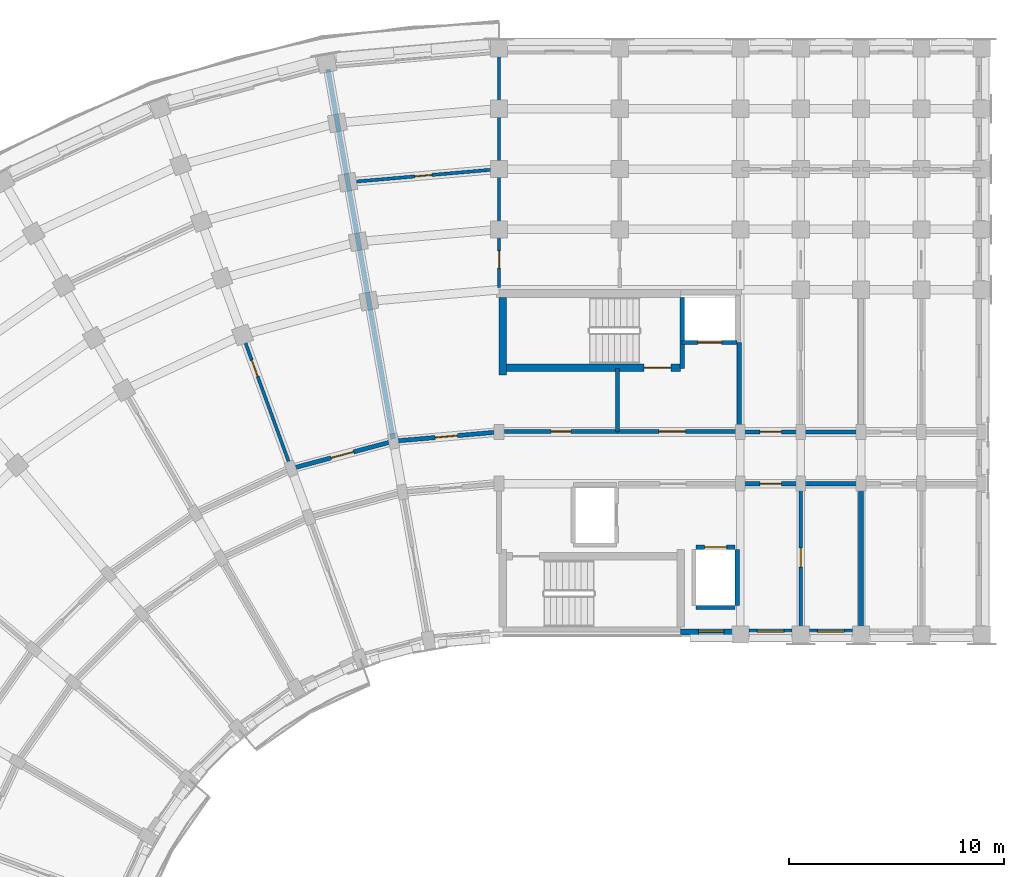
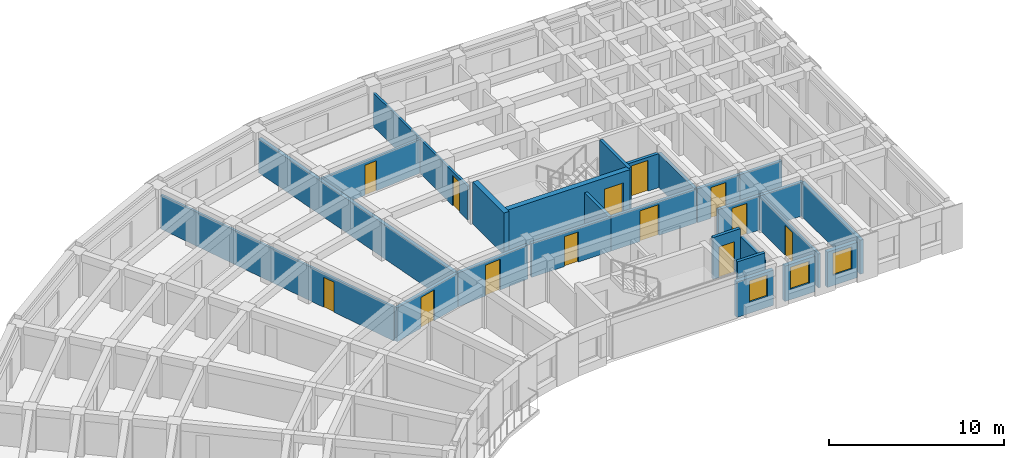
# One storey, part 26 of 54: 26 walls, 13 doors, 3 windows, 16 openings.
"""IFC4 building model written with IfcOpenShell, lengths in metres."""

from ifc_helpers import new_model, si_unit, direction, frame, frame_2d, origin, place, context, subcontext, project, spatial, rectangle, extrude, material, layer, layer_set, type_object, element, fill, save


model = new_model("IFC4")

# Units and contexts
model_context = context("Model", 3, precision=1e-05, world=origin(), true_north=direction((0.0, 1.0)))
body_context = subcontext(model_context, "Body", "Model", "MODEL_VIEW")
ifc_project = project(units=[si_unit("LENGTHUNIT", "METRE"), si_unit("AREAUNIT", "SQUARE_METRE"), si_unit("VOLUMEUNIT", "CUBIC_METRE"), si_unit("PLANEANGLEUNIT", "RADIAN"), si_unit("MASSUNIT", "GRAM", prefix="KILO")], contexts=[model_context])

# Site, building, storey
site_placement = place(None, origin())
site = spatial("IfcSite", under=ifc_project, at=site_placement, CompositionType="ELEMENT")
building_placement = place(site_placement, origin())
building = spatial("IfcBuilding", under=site, at=building_placement, Name="Kiranvali Square Residences", CompositionType="ELEMENT")
storey_placement = place(building_placement, frame((0.0, 0.0, 11.85009765625)))
storey = spatial("IfcBuildingStorey", under=building, at=storey_placement, Name="L03", CompositionType="ELEMENT", Elevation=11.85009765625)

# Wall, opening, door
ifc_material_1 = material(Name="Autoclaved aerated concrete blockwork masonry", Category="masonry")
ifc_layer_1 = layer(ifc_material_1, 0.199951171875)
ifc_layer_set_1 = layer_set([ifc_layer_1], Name="Autoclaved aerated concrete blockwork masonry")
wall_type_1 = type_object("IfcWallType", Name="WL-COR-200", PredefinedType="STANDARD", material=ifc_layer_set_1)
wall_1_placement = place(storey_placement, frame((59.39990234375, 113.60009765625, 0.0), z_axis=(0.0, 0.0, 1.0), x_axis=(1.0, 0.0, 0.0)))
wall_1 = element("IfcWall", 1, at=wall_1_placement, inside=storey, type_object=wall_type_1, Name="L03 architectural wall WL-L03-A-A1CI-0", PredefinedType="STANDARD", context=body_context, shape_type="SweptSolid", body=[
    extrude(rectangle(XDim=2.800048828125, YDim=0.199951171875, at=frame_2d((1.39990234375, 0.0))), origin(), (0.0, 0.0, 1.0), 2.371826171875),
])
opening_1_placement = place(wall_1_placement, frame((0.89990234375, 0.0, 0.0)))
opening_1 = element("IfcOpeningElement", 2, at=opening_1_placement, cuts=wall_1, Name="Opening FD-APT-60", PredefinedType="OPENING", context=body_context, shape_type="SweptSolid", body=[
    extrude(rectangle(XDim=1.0, YDim=2.14990234375, at=frame_2d((0.5, 1.074951171875))), frame((0.0, 0.10986328125, 0.0), z_axis=(0.0, -1.0, 0.0), x_axis=(1.0, 0.0, 0.0)), (0.0, 0.0, 1.0), 0.219970703125),
])
ifc_material_2 = material(Name="Fire-rated acoustic hardwood and mineral-core door assembly", Category="wood")
door_type_1 = type_object("IfcDoorType", Name="DR-APT-1000", OperationType="NOTDEFINED", PredefinedType="DOOR", material=ifc_material_2)
door_1_placement = place(opening_1_placement, frame((1.0, 0.0, 0.0), z_axis=(0.0, 0.0, 1.0), x_axis=(-1.0, 0.0, 0.0)))
door_1 = element("IfcDoor", 3, at=door_1_placement, inside=storey, type_object=door_type_1, Name="L03 door DR-L03-0226 (DR-APT-1000)", OperationType="SINGLE_SWING_RIGHT", OverallHeight=2.14990234375, OverallWidth=1.0, PredefinedType="DOOR", context=body_context, shape_type="SweptSolid", body=[
    extrude(rectangle(XDim=1.0, YDim=2.14990234375, at=frame_2d((0.5, 1.074951171875))), frame((0.0, 0.02490234375, 0.0), z_axis=(0.0, -1.0, 0.0), x_axis=(1.0, 0.0, 0.0)), (0.0, 0.0, 1.0), 0.050048828125),
])
fill(opening_1, door_1)

wall_2_placement = place(storey_placement, frame((59.39990234375, 116.0, 0.0), z_axis=(0.0, 0.0, 1.0), x_axis=(1.0, 0.0, 0.0)))
wall_2 = element("IfcWall", 4, at=wall_2_placement, inside=storey, type_object=wall_type_1, Name="L03 architectural wall WL-L03-A-A1CO-0", PredefinedType="STANDARD", context=body_context, shape_type="SweptSolid", body=[
    extrude(rectangle(XDim=2.800048828125, YDim=0.199951171875, at=frame_2d((1.39990234375, 0.0))), origin(), (0.0, 0.0, 1.0), 2.371826171875),
])
opening_2_placement = place(wall_2_placement, frame((0.89990234375, 0.0, 0.0)))
opening_2 = element("IfcOpeningElement", 5, at=opening_2_placement, cuts=wall_2, Name="Opening FD-APT-60", PredefinedType="OPENING", context=body_context, shape_type="SweptSolid", body=[
    extrude(rectangle(XDim=1.0, YDim=2.14990234375, at=frame_2d((0.5, 1.074951171875))), frame((0.0, 0.10986328125, 0.0), z_axis=(0.0, -1.0, 0.0), x_axis=(1.0, 0.0, 0.0)), (0.0, 0.0, 1.0), 0.219970703125),
])
door_2_placement = place(opening_2_placement, frame((1.0, 0.0, 0.0), z_axis=(0.0, 0.0, 1.0), x_axis=(-1.0, 0.0, 0.0)))
door_2 = element("IfcDoor", 6, at=door_2_placement, inside=storey, type_object=door_type_1, Name="L03 door DR-L03-0228 (DR-APT-1000)", OperationType="SINGLE_SWING_RIGHT", OverallHeight=2.14990234375, OverallWidth=1.0, PredefinedType="DOOR", context=body_context, shape_type="SweptSolid", body=[
    extrude(rectangle(XDim=1.0, YDim=2.14990234375, at=frame_2d((0.5, 1.074951171875))), frame((0.0, 0.02490234375, 0.0), z_axis=(0.0, -1.0, 0.0), x_axis=(1.0, 0.0, 0.0)), (0.0, 0.0, 1.0), 0.050048828125),
])
fill(opening_2, door_2)

# Walls
for number, where, z_axis, x_axis, name in (
    (7, (62.199951171875, 113.60009765625, 0.0), (0.0, 0.0, 1.0), (1.0, 0.0, 0.0), "L03 architectural wall WL-L03-A-A1CI-1"),
    (8, (62.199951171875, 116.0, 0.0), (0.0, 0.0, 1.0), (1.0, 0.0, 0.0), "L03 architectural wall WL-L03-A-A1CO-1"),
):
    element("IfcWall", number, at=place(storey_placement, frame(where, z_axis=z_axis, x_axis=x_axis)), inside=storey, type_object=wall_type_1, Name=name, PredefinedType="STANDARD", context=body_context, shape_type="SweptSolid", body=[
        extrude(rectangle(XDim=2.800048828125, YDim=0.199951171875, at=frame_2d((1.39990234375, 0.0))), origin(), (0.0, 0.0, 1.0), 2.371826171875),
    ])

# Wall, opening, door
wall_3_placement = place(storey_placement, frame((48.199951171875, 116.0, 0.0), z_axis=(0.0, 0.0, 1.0), x_axis=(-0.996193663584, -0.087167566415, 0.0)))
wall_3 = element("IfcWall", 9, at=wall_3_placement, inside=storey, type_object=wall_type_1, Name="L03 architectural wall WL-L03-A-CCO-0", PredefinedType="STANDARD", context=body_context, shape_type="SweptSolid", body=[
    extrude(rectangle(XDim=4.91552734375, YDim=0.199951171875, at=frame_2d((2.457763671875, 0.0))), origin(), (0.0, 0.0, 1.0), 2.371826171875),
])
opening_3_placement = place(wall_3_placement, frame((1.937744140625, 0.0, 0.0)))
opening_3 = element("IfcOpeningElement", 10, at=opening_3_placement, cuts=wall_3, Name="Opening FD-APT-60B", PredefinedType="OPENING", context=body_context, shape_type="SweptSolid", body=[
    extrude(rectangle(XDim=1.0400390625, YDim=2.14990234375, at=frame_2d((0.52001953125, 1.074951171875))), frame((0.0, 0.10986328125, 0.0), z_axis=(0.0, -1.0, 0.0), x_axis=(1.0, 0.0, 0.0)), (0.0, 0.0, 1.0), 0.219970703125),
])
door_type_2 = type_object("IfcDoorType", Name="DR-APT-1040", OperationType="NOTDEFINED", PredefinedType="DOOR", material=ifc_material_2)
door_3_placement = place(opening_3_placement, origin())
door_3 = element("IfcDoor", 11, at=door_3_placement, inside=storey, type_object=door_type_2, Name="L03 door DR-L03-0253 (DR-APT-1040)", OperationType="SINGLE_SWING_LEFT", OverallHeight=2.14990234375, OverallWidth=1.0400390625, PredefinedType="DOOR", context=body_context, shape_type="SweptSolid", body=[
    extrude(rectangle(XDim=1.0400390625, YDim=2.14990234375, at=frame_2d((0.52001953125, 1.074951171875))), frame((0.0, 0.02490234375, 0.0), z_axis=(0.0, -1.0, 0.0), x_axis=(1.0, 0.0, 0.0)), (0.0, 0.0, 1.0), 0.050048828125),
])
fill(opening_3, door_3)

wall_4_placement = place(storey_placement, frame((43.30322265625, 115.571533203125, 0.0), z_axis=(0.0, 0.0, 1.0), x_axis=(-0.965930095386, -0.258803112091, 0.0)))
wall_4 = element("IfcWall", 12, at=wall_4_placement, inside=storey, type_object=wall_type_1, Name="L03 architectural wall WL-L03-A-CCO-1", PredefinedType="STANDARD", context=body_context, shape_type="SweptSolid", body=[
    extrude(rectangle(XDim=4.915771484375, YDim=0.199951171875, at=frame_2d((2.4580078125, 0.0))), origin(), (0.0, 0.0, 1.0), 2.371826171875),
])
opening_4_placement = place(wall_4_placement, frame((1.917724609375, 0.0, 0.0)))
opening_4 = element("IfcOpeningElement", 13, at=opening_4_placement, cuts=wall_4, Name="Opening FD-APT-60C", PredefinedType="OPENING", context=body_context, shape_type="SweptSolid", body=[
    extrude(rectangle(XDim=1.080078125, YDim=2.14990234375, at=frame_2d((0.5400390625, 1.074951171875))), frame((0.0, 0.10986328125, 0.0), z_axis=(0.0, -1.0, 0.0), x_axis=(1.0, 0.0, 0.0)), (0.0, 0.0, 1.0), 0.219970703125),
])
door_type_3 = type_object("IfcDoorType", Name="DR-APT-1080", OperationType="NOTDEFINED", PredefinedType="DOOR", material=ifc_material_2)
door_4_placement = place(opening_4_placement, origin())
door_4 = element("IfcDoor", 14, at=door_4_placement, inside=storey, type_object=door_type_3, Name="L03 door DR-L03-0255 (DR-APT-1080)", OperationType="SINGLE_SWING_LEFT", OverallHeight=2.14990234375, OverallWidth=1.080078125, PredefinedType="DOOR", context=body_context, shape_type="SweptSolid", body=[
    extrude(rectangle(XDim=1.080078125, YDim=2.14990234375, at=frame_2d((0.5400390625, 1.074951171875))), frame((0.0, 0.02490234375, 0.0), z_axis=(0.0, -1.0, 0.0), x_axis=(1.0, 0.0, 0.0)), (0.0, 0.0, 1.0), 0.050048828125),
])
fill(opening_4, door_4)

# Walls
ifc_layer_2 = layer(ifc_material_1, 0.219970703125)
ifc_layer_set_2 = layer_set([ifc_layer_2], Name="Autoclaved aerated concrete blockwork masonry")
wall_type_2 = type_object("IfcWallType", Name="WL-DEM-220", PredefinedType="STANDARD", material=ifc_layer_set_2)
wall_5_placement = place(storey_placement, frame((65.0, 106.800048828125, 0.0), z_axis=(0.0, 0.0, 1.0), x_axis=(0.0, 1.0, 0.0)))
element("IfcWall", 15, at=wall_5_placement, inside=storey, type_object=wall_type_2, Name="L03 architectural wall WL-L03-A-A1TI-2", PredefinedType="STANDARD", context=body_context, shape_type="SweptSolid", body=[
    extrude(rectangle(XDim=6.75, YDim=0.219970703125, at=frame_2d((3.375, 0.0))), origin(), (0.0, 0.0, 1.0), 2.371826171875),
])
ifc_layer_3 = layer(ifc_material_1, 0.22998046875)
ifc_layer_set_3 = layer_set([ifc_layer_3], Name="Autoclaved aerated concrete blockwork masonry")
wall_type_3 = type_object("IfcWallType", Name="WL-DEM-230", PredefinedType="STANDARD", material=ifc_layer_set_3)
wall_6_placement = place(storey_placement, frame((43.28564453125, 115.670166015625, 0.0), z_axis=(0.0, 0.0, 1.0), x_axis=(-0.173646216546, 0.984808098809, 0.0)))
element("IfcWall", 16, at=wall_6_placement, inside=storey, type_object=wall_type_3, Name="L03 architectural wall WL-L03-A-RADO-1", PredefinedType="STANDARD", context=body_context, shape_type="SweptSolid", body=[
    extrude(rectangle(XDim=17.419921875, YDim=0.22998046875, at=frame_2d((8.7099609375, 0.0))), origin(), (0.0, 0.0, 1.0), 2.371826171875),
])

# Wall, opening, window
ifc_material_3 = material(Name="Breathable lime-rendered clay brick masonry", Category="masonry")
ifc_layer_4 = layer(ifc_material_3, 0.27490234375)
ifc_layer_set_4 = layer_set([ifc_layer_4], Name="Breathable lime-rendered clay brick masonry")
wall_type_4 = type_object("IfcWallType", Name="WL-EXT-275", PredefinedType="STANDARD", material=ifc_layer_set_4)
wall_7_placement = place(storey_placement, frame((56.62841796875, 106.72509765625, 0.0), z_axis=(0.0, 0.0, 1.0), x_axis=(1.0, 0.0, 0.0)))
wall_7 = element("IfcWall", 17, at=wall_7_placement, inside=storey, type_object=wall_type_4, Name="L03 exterior wall A-L03-A1IN-0", PredefinedType="STANDARD", context=body_context, shape_type="SweptSolid", body=[
    extrude(rectangle(XDim=2.421630859375, YDim=0.27490234375, at=frame_2d((1.2109375, 0.0))), origin(), (0.0, 0.0, 1.0), 2.471923828125),
])
opening_5_placement = place(wall_7_placement, frame((0.821533203125, 0.0, 0.77197265625)))
opening_5 = element("IfcOpeningElement", 18, at=opening_5_placement, cuts=wall_7, Name="Opening W-06", PredefinedType="OPENING", context=body_context, shape_type="SweptSolid", body=[
    extrude(rectangle(XDim=1.199951171875, YDim=1.5, at=frame_2d((0.60009765625, 0.75))), frame((0.0, 0.1474609375, 0.0), z_axis=(0.0, -1.0, 0.0), x_axis=(1.0, 0.0, 0.0)), (0.0, 0.0, 1.0), 0.294921875),
])
ifc_material_4 = material(Name="Solar-control low-e double glazing", Category="glass")
window_type_1 = type_object("IfcWindowType", Name="WIN-RES-1200x1500", PartitioningType="SINGLE_PANEL", PredefinedType="WINDOW", material=ifc_material_4)
window_1_placement = place(opening_5_placement, origin())
window_1 = element("IfcWindow", 19, at=window_1_placement, inside=storey, type_object=window_type_1, Name="L03 recessed window A-L03-A1IN-0", OverallHeight=1.5, OverallWidth=1.199951171875, PartitioningType="SINGLE_PANEL", PredefinedType="WINDOW", context=body_context, shape_type="SweptSolid", body=[
    extrude(rectangle(XDim=1.199951171875, YDim=1.5, at=frame_2d((0.60009765625, 0.75))), frame((0.0, 0.030029296875, 0.0), z_axis=(0.0, -1.0, 0.0), x_axis=(1.0, 0.0, 0.0)), (0.0, 0.0, 1.0), 0.06005859375),
])
fill(opening_5, window_1)

wall_8_placement = place(storey_placement, frame((59.803466796875, 106.72509765625, 0.0), z_axis=(0.0, 0.0, 1.0), x_axis=(1.0, 0.0, 0.0)))
wall_8 = element("IfcWall", 20, at=wall_8_placement, inside=storey, type_object=wall_type_4, Name="L03 exterior wall A-L03-A1I-0", PredefinedType="STANDARD", context=body_context, shape_type="SweptSolid", body=[
    extrude(rectangle(XDim=1.992919921875, YDim=0.27490234375, at=frame_2d((0.99658203125, 0.0))), origin(), (0.0, 0.0, 1.0), 2.471923828125),
])
opening_6_placement = place(wall_8_placement, frame((0.37158203125, 0.0, 0.721923828125)))
opening_6 = element("IfcOpeningElement", 21, at=opening_6_placement, cuts=wall_8, Name="Opening W-19", PredefinedType="OPENING", context=body_context, shape_type="SweptSolid", body=[
    extrude(rectangle(XDim=1.25, YDim=1.550048828125, at=frame_2d((0.625, 0.77490234375))), frame((0.0, 0.1474609375, 0.0), z_axis=(0.0, -1.0, 0.0), x_axis=(1.0, 0.0, 0.0)), (0.0, 0.0, 1.0), 0.294921875),
])
window_type_2 = type_object("IfcWindowType", Name="WIN-GDN-1250x1550", PartitioningType="SINGLE_PANEL", PredefinedType="WINDOW", material=ifc_material_4)
window_2_placement = place(opening_6_placement, origin())
window_2 = element("IfcWindow", 22, at=window_2_placement, inside=storey, type_object=window_type_2, Name="L03 recessed window A-L03-A1I-0", OverallHeight=1.550048828125, OverallWidth=1.25, PartitioningType="SINGLE_PANEL", PredefinedType="WINDOW", context=body_context, shape_type="SweptSolid", body=[
    extrude(rectangle(XDim=1.25, YDim=1.550048828125, at=frame_2d((0.625, 0.77490234375))), frame((0.0, 0.030029296875, 0.0), z_axis=(0.0, -1.0, 0.0), x_axis=(1.0, 0.0, 0.0)), (0.0, 0.0, 1.0), 0.06005859375),
])
fill(opening_6, window_2)

wall_9_placement = place(storey_placement, frame((62.603515625, 106.72509765625, 0.0), z_axis=(0.0, 0.0, 1.0), x_axis=(1.0, 0.0, 0.0)))
wall_9 = element("IfcWall", 23, at=wall_9_placement, inside=storey, type_object=wall_type_4, Name="L03 exterior wall A-L03-A1I-1", PredefinedType="STANDARD", context=body_context, shape_type="SweptSolid", body=[
    extrude(rectangle(XDim=1.992919921875, YDim=0.27490234375, at=frame_2d((0.99658203125, 0.0))), origin(), (0.0, 0.0, 1.0), 2.471923828125),
])
opening_7_placement = place(wall_9_placement, frame((0.37158203125, 0.0, 0.721923828125)))
opening_7 = element("IfcOpeningElement", 24, at=opening_7_placement, cuts=wall_9, Name="Opening W-19", PredefinedType="OPENING", context=body_context, shape_type="SweptSolid", body=[
    extrude(rectangle(XDim=1.25, YDim=1.550048828125, at=frame_2d((0.625, 0.77490234375))), frame((0.0, 0.1474609375, 0.0), z_axis=(0.0, -1.0, 0.0), x_axis=(1.0, 0.0, 0.0)), (0.0, 0.0, 1.0), 0.294921875),
])
window_3_placement = place(opening_7_placement, origin())
window_3 = element("IfcWindow", 25, at=window_3_placement, inside=storey, type_object=window_type_2, Name="L03 recessed window A-L03-A1I-1", OverallHeight=1.550048828125, OverallWidth=1.25, PartitioningType="SINGLE_PANEL", PredefinedType="WINDOW", context=body_context, shape_type="SweptSolid", body=[
    extrude(rectangle(XDim=1.25, YDim=1.550048828125, at=frame_2d((0.625, 0.77490234375))), frame((0.0, 0.030029296875, 0.0), z_axis=(0.0, -1.0, 0.0), x_axis=(1.0, 0.0, 0.0)), (0.0, 0.0, 1.0), 0.06005859375),
])
fill(opening_7, window_3)

# Wall, opening, door
ifc_layer_5 = layer(ifc_material_1, 0.199951171875)
ifc_layer_set_5 = layer_set([ifc_layer_5], Name="Autoclaved aerated concrete blockwork masonry")
wall_type_5 = type_object("IfcWallType", Name="WL-FFL-200", PredefinedType="STANDARD", material=ifc_layer_set_5)
wall_10_placement = place(storey_placement, frame((53.699951171875, 116.02001953125, 0.0), z_axis=(0.0, 0.0, 1.0), x_axis=(1.0, 0.0, 0.0)))
wall_10 = element("IfcWall", 26, at=wall_10_placement, inside=storey, type_object=wall_type_5, Name="L03 architectural wall WL-L03-A-FF-COR", PredefinedType="STANDARD", context=body_context, shape_type="SweptSolid", body=[
    extrude(rectangle(XDim=5.650146484375, YDim=0.199951171875, at=frame_2d((2.8251953125, 0.0))), origin(), (0.0, 0.0, 1.0), 2.371826171875),
])
opening_8_placement = place(wall_10_placement, frame((1.922607421875, 0.0, 0.0)))
opening_8 = element("IfcOpeningElement", 27, at=opening_8_placement, cuts=wall_10, Name="Opening FD-ST-120", PredefinedType="OPENING", context=body_context, shape_type="SweptSolid", body=[
    extrude(rectangle(XDim=1.239990234375, YDim=2.14990234375, at=frame_2d((0.6201171875, 1.074951171875))), frame((0.0, 0.10986328125, 0.0), z_axis=(0.0, -1.0, 0.0), x_axis=(1.0, 0.0, 0.0)), (0.0, 0.0, 1.0), 0.219970703125),
])
door_type_4 = type_object("IfcDoorType", Name="DR-FD120-1200", OperationType="NOTDEFINED", PredefinedType="DOOR", material=ifc_material_2)
door_5_placement = place(opening_8_placement, frame((1.239990234375, 0.0, 0.0), z_axis=(0.0, 0.0, 1.0), x_axis=(-1.0, 0.0, 0.0)))
door_5 = element("IfcDoor", 28, at=door_5_placement, inside=storey, type_object=door_type_4, Name="L03 door DR-L03-0214 (DR-FD120-1200)", OperationType="SINGLE_SWING_RIGHT", OverallHeight=2.14990234375, OverallWidth=1.239990234375, PredefinedType="DOOR", context=body_context, shape_type="SweptSolid", body=[
    extrude(rectangle(XDim=1.239990234375, YDim=2.14990234375, at=frame_2d((0.6201171875, 1.074951171875))), frame((0.0, 0.02490234375, 0.0), z_axis=(0.0, -1.0, 0.0), x_axis=(1.0, 0.0, 0.0)), (0.0, 0.0, 1.0), 0.050048828125),
])
fill(opening_8, door_5)

# Walls
wall_11_placement = place(storey_placement, frame((53.699951171875, 116.02001953125, 0.0), z_axis=(0.0, 0.0, 1.0), x_axis=(0.0, 1.0, 0.0)))
element("IfcWall", 29, at=wall_11_placement, inside=storey, type_object=wall_type_5, Name="L03 architectural wall WL-L03-A-FF-DIV", PredefinedType="STANDARD", context=body_context, shape_type="SweptSolid", body=[
    extrude(rectangle(XDim=2.929931640625, YDim=0.199951171875, at=frame_2d((1.46484375, 0.0))), origin(), (0.0, 0.0, 1.0), 2.371826171875),
])
wall_12_placement = place(storey_placement, frame((59.35009765625, 116.02001953125, 0.0), z_axis=(0.0, 0.0, 1.0), x_axis=(0.0, 1.0, 0.0)))
element("IfcWall", 30, at=wall_12_placement, inside=storey, type_object=wall_type_5, Name="L03 architectural wall WL-L03-A-FF-END", PredefinedType="STANDARD", context=body_context, shape_type="SweptSolid", body=[
    extrude(rectangle(XDim=4.1298828125, YDim=0.199951171875, at=frame_2d((2.06494140625, 0.0))), origin(), (0.0, 0.0, 1.0), 2.371826171875),
])

# Wall, opening, door
wall_13_placement = place(storey_placement, frame((56.699951171875, 120.14990234375, 0.0), z_axis=(0.0, 0.0, 1.0), x_axis=(1.0, 0.0, 0.0)))
wall_13 = element("IfcWall", 31, at=wall_13_placement, inside=storey, type_object=wall_type_5, Name="L03 architectural wall WL-L03-A-FF-LFT", PredefinedType="STANDARD", context=body_context, shape_type="SweptSolid", body=[
    extrude(rectangle(XDim=2.550048828125, YDim=0.199951171875, at=frame_2d((1.27490234375, 0.0))), origin(), (0.0, 0.0, 1.0), 2.371826171875),
])
opening_9_placement = place(wall_13_placement, frame((0.72509765625, 0.0, 0.0)))
opening_9 = element("IfcOpeningElement", 32, at=opening_9_placement, cuts=wall_13, Name="Opening LD-FF-110", PredefinedType="OPENING", context=body_context, shape_type="SweptSolid", body=[
    extrude(rectangle(XDim=1.10009765625, YDim=2.14990234375, at=frame_2d((0.550048828125, 1.074951171875))), frame((0.0, 0.10986328125, 0.0), z_axis=(0.0, -1.0, 0.0), x_axis=(1.0, 0.0, 0.0)), (0.0, 0.0, 1.0), 0.219970703125),
])
door_type_5 = type_object("IfcDoorType", Name="DR-LIFT-FF-1100", OperationType="SLIDING_TO_LEFT", PredefinedType="DOOR", material=ifc_material_2)
door_6_placement = place(opening_9_placement, origin())
door_6 = element("IfcDoor", 33, at=door_6_placement, inside=storey, type_object=door_type_5, Name="L03 door DR-L03-0216 (DR-LIFT-FF-1100)", OperationType="SLIDING_TO_LEFT", OverallHeight=2.14990234375, OverallWidth=1.10009765625, PredefinedType="DOOR", context=body_context, shape_type="SweptSolid", body=[
    extrude(rectangle(XDim=1.10009765625, YDim=2.14990234375, at=frame_2d((0.550048828125, 1.074951171875))), frame((0.0, 0.02490234375, 0.0), z_axis=(0.0, -1.0, 0.0), x_axis=(1.0, 0.0, 0.0)), (0.0, 0.0, 1.0), 0.050048828125),
])
fill(opening_9, door_6)

ifc_material_5 = material(Name="Acoustic gypsum board drylined partition", Category="gypsum")
ifc_layer_6 = layer(ifc_material_5, 0.14990234375)
ifc_layer_set_6 = layer_set([ifc_layer_6], Name="Acoustic gypsum board drylined partition")
wall_type_6 = type_object("IfcWallType", Name="WL-PRT-150", PredefinedType="PARTITIONING", material=ifc_layer_set_6)
wall_14_placement = place(storey_placement, frame((62.199951171875, 106.800048828125, 0.0), z_axis=(0.0, 0.0, 1.0), x_axis=(0.0, 1.0, 0.0)))
wall_14 = element("IfcWall", 34, at=wall_14_placement, inside=storey, type_object=wall_type_6, Name="L03 architectural wall WL-L03-A-A1TI-1", PredefinedType="PARTITIONING", context=body_context, shape_type="SweptSolid", body=[
    extrude(rectangle(XDim=6.75, YDim=0.14990234375, at=frame_2d((3.375, 0.0))), origin(), (0.0, 0.0, 1.0), 2.371826171875),
])
opening_10_placement = place(wall_14_placement, frame((2.925048828125, 0.0, 0.0)))
opening_10 = element("IfcOpeningElement", 35, at=opening_10_placement, cuts=wall_14, Name="Opening ID-1", PredefinedType="OPENING", context=body_context, shape_type="SweptSolid", body=[
    extrude(rectangle(XDim=0.89990234375, YDim=2.10009765625, at=frame_2d((0.449951171875, 1.050048828125))), frame((0.0, 0.0849609375, 0.0), z_axis=(0.0, -1.0, 0.0), x_axis=(1.0, 0.0, 0.0)), (0.0, 0.0, 1.0), 0.169921875),
])
ifc_material_6 = material(Name="Solid seasoned teak hardwood joinery", Category="wood")
door_type_6 = type_object("IfcDoorType", Name="DR-INT-900", OperationType="NOTDEFINED", PredefinedType="DOOR", material=ifc_material_6)
door_7_placement = place(opening_10_placement, origin())
door_7 = element("IfcDoor", 36, at=door_7_placement, inside=storey, type_object=door_type_6, Name="L03 door DR-L03-0235 (DR-INT-900)", OperationType="SINGLE_SWING_LEFT", OverallHeight=2.10009765625, OverallWidth=0.89990234375, PredefinedType="DOOR", context=body_context, shape_type="SweptSolid", body=[
    extrude(rectangle(XDim=0.89990234375, YDim=2.10009765625, at=frame_2d((0.449951171875, 1.050048828125))), frame((0.0, 0.02490234375, 0.0), z_axis=(0.0, -1.0, 0.0), x_axis=(1.0, 0.0, 0.0)), (0.0, 0.0, 1.0), 0.050048828125),
])
fill(opening_10, door_7)

wall_15_placement = place(storey_placement, frame((48.199951171875, 122.699951171875, 0.0), z_axis=(0.0, 0.0, 1.0), x_axis=(0.0, 1.0, 0.0)))
wall_15 = element("IfcWall", 37, at=wall_15_placement, inside=storey, type_object=wall_type_6, Name="L03 architectural wall WL-L03-A-RADO-0", PredefinedType="PARTITIONING", context=body_context, shape_type="SweptSolid", body=[
    extrude(rectangle(XDim=10.820068359375, YDim=0.14990234375, at=frame_2d((5.41015625, 0.0))), origin(), (0.0, 0.0, 1.0), 2.371826171875),
])
opening_11_placement = place(wall_15_placement, frame((0.8994140625, 0.0, 0.0)))
opening_11 = element("IfcOpeningElement", 38, at=opening_11_placement, cuts=wall_15, Name="Opening ID-WET", PredefinedType="OPENING", context=body_context, shape_type="SweptSolid", body=[
    extrude(rectangle(XDim=0.800048828125, YDim=2.10009765625, at=frame_2d((0.39990234375, 1.050048828125))), frame((0.0, 0.0849609375, 0.0), z_axis=(0.0, -1.0, 0.0), x_axis=(1.0, 0.0, 0.0)), (0.0, 0.0, 1.0), 0.169921875),
])
door_type_7 = type_object("IfcDoorType", Name="DR-WET-800", OperationType="NOTDEFINED", PredefinedType="DOOR", material=ifc_material_6)
door_8_placement = place(opening_11_placement, origin())
door_8 = element("IfcDoor", 39, at=door_8_placement, inside=storey, type_object=door_type_7, Name="L03 door DR-L03-0241 (DR-WET-800)", OperationType="SINGLE_SWING_LEFT", OverallHeight=2.10009765625, OverallWidth=0.800048828125, PredefinedType="DOOR", context=body_context, shape_type="SweptSolid", body=[
    extrude(rectangle(XDim=0.800048828125, YDim=2.10009765625, at=frame_2d((0.39990234375, 1.050048828125))), frame((0.0, 0.02490234375, 0.0), z_axis=(0.0, -1.0, 0.0), x_axis=(1.0, 0.0, 0.0)), (0.0, 0.0, 1.0), 0.050048828125),
])
fill(opening_11, door_8)

wall_16_placement = place(storey_placement, frame((38.520751953125, 114.393310546875, 0.0), z_axis=(0.0, 0.0, 1.0), x_axis=(-0.342022120477, 0.939691901159, 0.0)))
wall_16 = element("IfcWall", 40, at=wall_16_placement, inside=storey, type_object=wall_type_6, Name="L03 architectural wall WL-L03-A-RADO-2", PredefinedType="PARTITIONING", context=body_context, shape_type="SweptSolid", body=[
    extrude(rectangle(XDim=17.419921875, YDim=0.14990234375, at=frame_2d((8.7099609375, 0.0))), origin(), (0.0, 0.0, 1.0), 2.371826171875),
])
opening_12_placement = place(wall_16_placement, frame((4.44970703125, 0.0, 0.0)))
opening_12 = element("IfcOpeningElement", 41, at=opening_12_placement, cuts=wall_16, Name="Opening ID-WET", PredefinedType="OPENING", context=body_context, shape_type="SweptSolid", body=[
    extrude(rectangle(XDim=0.800048828125, YDim=2.10009765625, at=frame_2d((0.39990234375, 1.050048828125))), frame((0.0, 0.0849609375, 0.0), z_axis=(0.0, -1.0, 0.0), x_axis=(1.0, 0.0, 0.0)), (0.0, 0.0, 1.0), 0.169921875),
])
door_9_placement = place(opening_12_placement, frame((0.800048828125, 0.0, 0.0), z_axis=(0.0, 0.0, 1.0), x_axis=(-1.0, 0.0, 0.0)))
door_9 = element("IfcDoor", 42, at=door_9_placement, inside=storey, type_object=door_type_7, Name="L03 door DR-L03-0244 (DR-WET-800)", OperationType="SINGLE_SWING_RIGHT", OverallHeight=2.10009765625, OverallWidth=0.800048828125, PredefinedType="DOOR", context=body_context, shape_type="SweptSolid", body=[
    extrude(rectangle(XDim=0.800048828125, YDim=2.10009765625, at=frame_2d((0.39990234375, 1.050048828125))), frame((0.0, 0.02490234375, 0.0), z_axis=(0.0, -1.0, 0.0), x_axis=(1.0, 0.0, 0.0)), (0.0, 0.0, 1.0), 0.050048828125),
])
fill(opening_12, door_9)

ifc_layer_7 = layer(ifc_material_1, 0.199951171875)
ifc_layer_set_7 = layer_set([ifc_layer_7], Name="Autoclaved aerated concrete blockwork masonry")
wall_type_7 = type_object("IfcWallType", Name="WL-SHF-200", PredefinedType="STANDARD", material=ifc_layer_set_7)
wall_17_placement = place(storey_placement, frame((48.449951171875, 116.02001953125, 0.0), z_axis=(0.0, 0.0, 1.0), x_axis=(1.0, 0.0, 0.0)))
wall_17 = element("IfcWall", 43, at=wall_17_placement, inside=storey, type_object=wall_type_7, Name="L03 architectural wall WL-L03-A-RSR-COR", PredefinedType="STANDARD", context=body_context, shape_type="SweptSolid", body=[
    extrude(rectangle(XDim=5.25, YDim=0.199951171875, at=frame_2d((2.625, 0.0))), origin(), (0.0, 0.0, 1.0), 2.371826171875),
])
opening_13_placement = place(wall_17_placement, frame((2.1650390625, 0.0, 0.0)))
opening_13 = element("IfcOpeningElement", 44, at=opening_13_placement, cuts=wall_17, Name="Opening FD-SVC-120", PredefinedType="OPENING", context=body_context, shape_type="SweptSolid", body=[
    extrude(rectangle(XDim=0.919921875, YDim=2.10009765625, at=frame_2d((0.4599609375, 1.050048828125))), frame((0.0, 0.10986328125, 0.0), z_axis=(0.0, -1.0, 0.0), x_axis=(1.0, 0.0, 0.0)), (0.0, 0.0, 1.0), 0.219970703125),
])
door_type_8 = type_object("IfcDoorType", Name="DR-SVC-900", OperationType="NOTDEFINED", PredefinedType="DOOR", material=ifc_material_2)
door_10_placement = place(opening_13_placement, origin())
door_10 = element("IfcDoor", 45, at=door_10_placement, inside=storey, type_object=door_type_8, Name="L03 door DR-L03-0215 (DR-SVC-900)", OperationType="SINGLE_SWING_LEFT", OverallHeight=2.10009765625, OverallWidth=0.919921875, PredefinedType="DOOR", context=body_context, shape_type="SweptSolid", body=[
    extrude(rectangle(XDim=0.919921875, YDim=2.10009765625, at=frame_2d((0.4599609375, 1.050048828125))), frame((0.0, 0.02490234375, 0.0), z_axis=(0.0, -1.0, 0.0), x_axis=(1.0, 0.0, 0.0)), (0.0, 0.0, 1.0), 0.050048828125),
])
fill(opening_13, door_10)

# Walls
wall_18_placement = place(storey_placement, frame((56.699951171875, 118.949951171875, 0.0), z_axis=(0.0, 0.0, 1.0), x_axis=(0.0, 1.0, 0.0)))
element("IfcWall", 46, at=wall_18_placement, inside=storey, type_object=wall_type_7, Name="L03 architectural wall WL-L03-A-FF-SHF", PredefinedType="STANDARD", context=body_context, shape_type="SweptSolid", body=[
    extrude(rectangle(XDim=3.300048828125, YDim=0.199951171875, at=frame_2d((1.64990234375, 0.0))), origin(), (0.0, 0.0, 1.0), 2.929931640625),
])
wall_19_placement = place(storey_placement, frame((59.25, 107.949951171875, 0.0), z_axis=(0.0, 0.0, 1.0), x_axis=(0.0, 1.0, 0.0)))
element("IfcWall", 47, at=wall_19_placement, inside=storey, type_object=wall_type_7, Name="L03 architectural wall WL-L03-A-LP1-B", PredefinedType="STANDARD", context=body_context, shape_type="SweptSolid", body=[
    extrude(rectangle(XDim=2.60009765625, YDim=0.199951171875, at=frame_2d((1.300048828125, 0.0))), origin(), (0.0, 0.0, 1.0), 2.371826171875),
])
wall_20_placement = place(storey_placement, frame((57.35009765625, 107.85009765625, 0.0), z_axis=(0.0, 0.0, 1.0), x_axis=(1.0, 0.0, 0.0)))
element("IfcWall", 48, at=wall_20_placement, inside=storey, type_object=wall_type_7, Name="L03 architectural wall WL-L03-A-LP1-S2", PredefinedType="STANDARD", context=body_context, shape_type="SweptSolid", body=[
    extrude(rectangle(XDim=1.7998046875, YDim=0.199951171875, at=frame_2d((0.89990234375, 0.0))), origin(), (0.0, 0.0, 1.0), 2.929931640625),
])

# Wall, opening, door
wall_21_placement = place(storey_placement, frame((57.35009765625, 110.64990234375, 0.0), z_axis=(0.0, 0.0, 1.0), x_axis=(1.0, 0.0, 0.0)))
wall_21 = element("IfcWall", 49, at=wall_21_placement, inside=storey, type_object=wall_type_7, Name="L03 architectural wall WL-L03-A-LP1-F", PredefinedType="STANDARD", context=body_context, shape_type="SweptSolid", body=[
    extrude(rectangle(XDim=1.7998046875, YDim=0.199951171875, at=frame_2d((0.89990234375, 0.0))), origin(), (0.0, 0.0, 1.0), 2.929931640625),
])
opening_14_placement = place(wall_21_placement, frame((0.389892578125, 0.0, 0.0)))
opening_14 = element("IfcOpeningElement", 50, at=opening_14_placement, cuts=wall_21, Name="Opening LD-PAX-100", PredefinedType="OPENING", context=body_context, shape_type="SweptSolid", body=[
    extrude(rectangle(XDim=1.02001953125, YDim=2.14990234375, at=frame_2d((0.510009765625, 1.074951171875))), frame((0.0, 0.10986328125, 0.0), z_axis=(0.0, -1.0, 0.0), x_axis=(1.0, 0.0, 0.0)), (0.0, 0.0, 1.0), 0.219970703125),
])
door_type_9 = type_object("IfcDoorType", Name="DR-LIFT-1000", OperationType="SLIDING_TO_RIGHT", PredefinedType="DOOR", material=ifc_material_2)
door_11_placement = place(opening_14_placement, origin())
door_11 = element("IfcDoor", 51, at=door_11_placement, inside=storey, type_object=door_type_9, Name="L03 door DR-L03-0220 (DR-LIFT-1000)", OperationType="SLIDING_TO_RIGHT", OverallHeight=2.14990234375, OverallWidth=1.02001953125, PredefinedType="DOOR", context=body_context, shape_type="SweptSolid", body=[
    extrude(rectangle(XDim=1.02001953125, YDim=2.14990234375, at=frame_2d((0.510009765625, 1.074951171875))), frame((0.0, 0.02490234375, 0.0), z_axis=(0.0, -1.0, 0.0), x_axis=(1.0, 0.0, 0.0)), (0.0, 0.0, 1.0), 0.050048828125),
])
fill(opening_14, door_11)

ifc_material_7 = material(Name="Concrete M50 (50 MPa)", Category="concrete")
ifc_layer_8 = layer(ifc_material_7, 0.35009765625)
ifc_layer_set_8 = layer_set([ifc_layer_8], Name="Concrete M50 (50 MPa)")
wall_type_8 = type_object("IfcWallType", Name="WL-SHR-350", PredefinedType="SHEAR", material=ifc_layer_set_8)
wall_22_placement = place(storey_placement, frame((48.550048828125, 118.97509765625, 0.0), z_axis=(0.0, 0.0, 1.0), x_axis=(1.0, 0.0, 0.0)))
wall_22 = element("IfcWall", 52, at=wall_22_placement, inside=storey, type_object=wall_type_8, Name="Block A core shear wall SW-A1-IN-L03", PredefinedType="SHEAR", context=body_context, shape_type="SweptSolid", body=[
    extrude(rectangle(XDim=8.074951171875, YDim=0.35009765625, at=frame_2d((4.03759765625, 0.0))), origin(), (0.0, 0.0, 1.0), 2.929931640625),
])
opening_15_placement = place(wall_22_placement, frame((6.3798828125, 0.0, 0.0)))
opening_15 = element("IfcOpeningElement", 53, at=opening_15_placement, cuts=wall_22, Name="Opening FD-ST-120", PredefinedType="OPENING", context=body_context, shape_type="SweptSolid", body=[
    extrude(rectangle(XDim=1.239990234375, YDim=2.14990234375, at=frame_2d((0.6201171875, 1.074951171875))), frame((0.0, 0.18505859375, 0.0), z_axis=(0.0, -1.0, 0.0), x_axis=(1.0, 0.0, 0.0)), (0.0, 0.0, 1.0), 0.3701171875),
])
door_12_placement = place(opening_15_placement, origin())
door_12 = element("IfcDoor", 54, at=door_12_placement, inside=storey, type_object=door_type_4, Name="L03 door DR-L03-0217 (DR-FD120-1200)", OperationType="SINGLE_SWING_LEFT", OverallHeight=2.14990234375, OverallWidth=1.239990234375, PredefinedType="DOOR", context=body_context, shape_type="SweptSolid", body=[
    extrude(rectangle(XDim=1.239990234375, YDim=2.14990234375, at=frame_2d((0.6201171875, 1.074951171875))), frame((0.0, 0.02490234375, 0.0), z_axis=(0.0, -1.0, 0.0), x_axis=(1.0, 0.0, 0.0)), (0.0, 0.0, 1.0), 0.050048828125),
])
fill(opening_15, door_12)

# Wall
wall_23_placement = place(storey_placement, frame((48.375, 118.64990234375, 0.0), z_axis=(0.0, 0.0, 1.0), x_axis=(0.0, 1.0, 0.0)))
element("IfcWall", 55, at=wall_23_placement, inside=storey, type_object=wall_type_8, Name="Block A core shear wall SW-A1-FAR-L03", PredefinedType="SHEAR", context=body_context, shape_type="SweptSolid", body=[
    extrude(rectangle(XDim=3.60009765625, YDim=0.35009765625, at=frame_2d((1.800048828125, 0.0))), origin(), (0.0, 0.0, 1.0), 2.929931640625),
])

# Wall, opening, door
ifc_layer_9 = layer(ifc_material_1, 0.14990234375)
ifc_layer_set_9 = layer_set([ifc_layer_9], Name="Autoclaved aerated concrete blockwork masonry")
wall_type_9 = type_object("IfcWallType", Name="WL-WET-150", PredefinedType="PLUMBINGWALL", material=ifc_layer_set_9)
wall_24_placement = place(storey_placement, frame((48.199951171875, 128.199951171875, 0.0), z_axis=(0.0, 0.0, 1.0), x_axis=(-0.996194658198, -0.087156198737, 0.0)))
wall_24 = element("IfcWall", 56, at=wall_24_placement, inside=storey, type_object=wall_type_9, Name="L03 architectural wall WL-L03-A-CWET-0", PredefinedType="PLUMBINGWALL", context=body_context, shape_type="SweptSolid", body=[
    extrude(rectangle(XDim=7.042236328125, YDim=0.14990234375, at=frame_2d((3.52099609375, 0.0))), origin(), (0.0, 0.0, 1.0), 2.371826171875),
])
opening_16_placement = place(wall_24_placement, frame((3.12109375, 0.0, 0.0)))
opening_16 = element("IfcOpeningElement", 57, at=opening_16_placement, cuts=wall_24, Name="Opening ID-WET", PredefinedType="OPENING", context=body_context, shape_type="SweptSolid", body=[
    extrude(rectangle(XDim=0.800048828125, YDim=2.10009765625, at=frame_2d((0.39990234375, 1.050048828125))), frame((0.0, 0.0849609375, 0.0), z_axis=(0.0, -1.0, 0.0), x_axis=(1.0, 0.0, 0.0)), (0.0, 0.0, 1.0), 0.169921875),
])
door_13_placement = place(opening_16_placement, frame((0.800048828125, 0.0, 0.0), z_axis=(0.0, 0.0, 1.0), x_axis=(-1.0, 0.0, 0.0)))
door_13 = element("IfcDoor", 58, at=door_13_placement, inside=storey, type_object=door_type_7, Name="L03 door DR-L03-0254 (DR-WET-800)", OperationType="SINGLE_SWING_RIGHT", OverallHeight=2.10009765625, OverallWidth=0.800048828125, PredefinedType="DOOR", context=body_context, shape_type="SweptSolid", body=[
    extrude(rectangle(XDim=0.800048828125, YDim=2.10009765625, at=frame_2d((0.39990234375, 1.050048828125))), frame((0.0, 0.02490234375, 0.0), z_axis=(0.0, -1.0, 0.0), x_axis=(1.0, 0.0, 0.0)), (0.0, 0.0, 1.0), 0.050048828125),
])
fill(opening_16, door_13)

save(model, "model.ifc")
